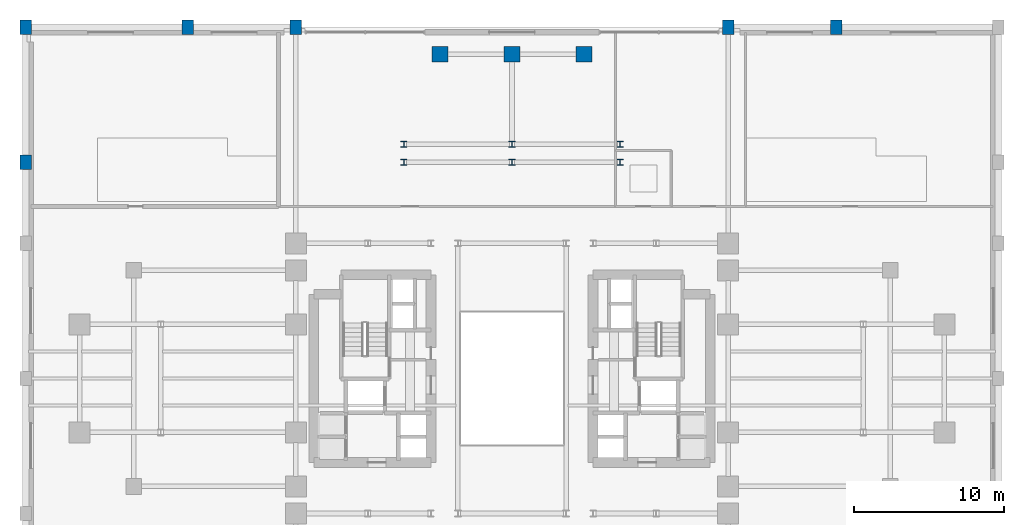
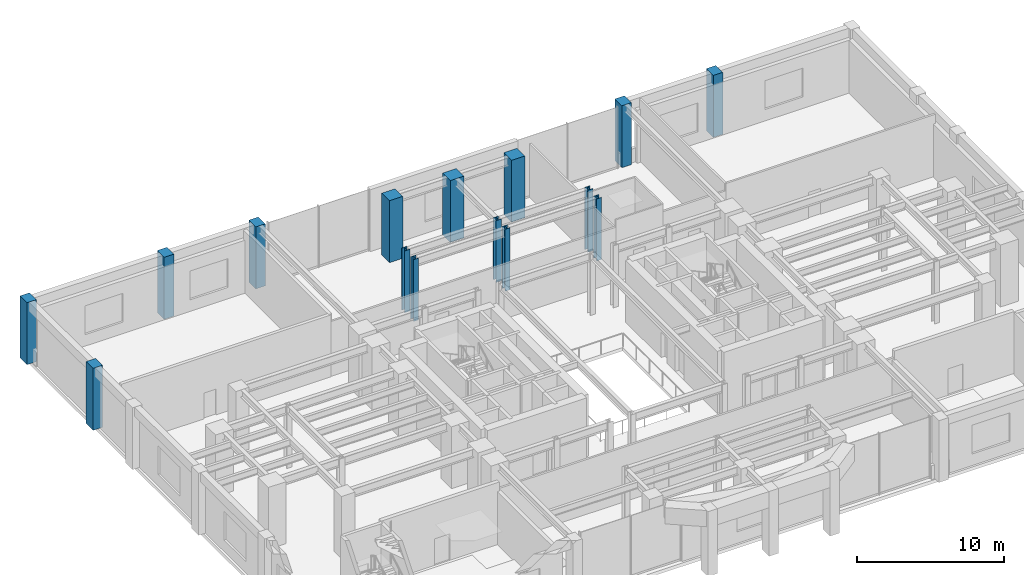
# One storey, part 2 of 16: 15 columns.
"""IFC4 building model written with IfcOpenShell, lengths in metres."""

from ifc_helpers import new_model, si_unit, direction, frame, origin, origin_2d, place, context, subcontext, project, spatial, rectangle, i_section, extrude, source, transform, mapped, material, material_profile, profile_set, type_object, element, save


model = new_model("IFC4")

# Units and contexts
model_context = context("Model", 3, precision=1e-05, world=origin(), true_north=direction((0.0, 1.0)))
body_context = subcontext(model_context, "Body", "Model", "MODEL_VIEW")
ifc_project = project(units=[si_unit("LENGTHUNIT", "METRE"), si_unit("AREAUNIT", "SQUARE_METRE"), si_unit("VOLUMEUNIT", "CUBIC_METRE"), si_unit("PLANEANGLEUNIT", "RADIAN"), si_unit("MASSUNIT", "GRAM", prefix="KILO")], contexts=[model_context])

# Site, building, storey
site_placement = place(None, origin())
site = spatial("IfcSite", under=ifc_project, at=site_placement, CompositionType="ELEMENT")
building_placement = place(site_placement, origin())
building = spatial("IfcBuilding", under=site, at=building_placement, Name="Keilestroom Media Tower", CompositionType="ELEMENT")
storey_placement = place(building_placement, frame((0.0, 0.0, 10.199951171875)))
storey = spatial("IfcBuildingStorey", under=building, at=storey_placement, Name="L02", CompositionType="ELEMENT", Elevation=10.199951171875)

# Columns
ifc_material_1 = material(Name="Precast concrete C40/50", Category="concrete")
ifc_material_profile_1 = material_profile(ifc_material_1, rectangle(XDim=0.75, YDim=0.949951171875, at=origin_2d()), Name="PC 950x750")
ifc_profile_set_1 = profile_set([ifc_material_profile_1], Name="Precast concrete C40/50")
column_type_1 = type_object("IfcColumnType", Name="Structural-Column-PC-950x750", PredefinedType="COLUMN", material=ifc_profile_set_1)
shared_shape_1 = source(origin(), body_context, "Body", "SweptSolid", [
    extrude(rectangle(XDim=0.75, YDim=0.949951171875, at=origin_2d()), origin(), (0.0, 0.0, 1.0), 5.150146484375),
])
for number, where, z_axis, x_axis, name in (
    (1, (-32.39990234375, 14.39990234375, 0.0), (0.0, 0.0, 1.0), (1.0, 0.0, 0.0), "L02 Column PC-1 (-32.4,+14.4)"),
    (2, (-32.39990234375, 23.39990234375, 0.0), (0.0, 0.0, 1.0), (1.0, 0.0, 0.0), "L02 Column PC-1 (-32.4,+23.4)"),
    (3, (-21.60009765625, 23.39990234375, 0.0), (0.0, 0.0, 1.0), (1.0, 0.0, 0.0), "L02 Column PC-1 (-21.6,+23.4)"),
    (4, (-14.39990234375, 23.39990234375, 0.0), (0.0, 0.0, 1.0), (1.0, 0.0, 0.0), "L02 Column PC-1 (-14.4,+23.4)"),
    (5, (14.39990234375, 23.39990234375, 0.0), (0.0, 0.0, 1.0), (1.0, 0.0, 0.0), "L02 Column PC-1 (+14.4,+23.4)"),
    (6, (21.60009765625, 23.39990234375, 0.0), (0.0, 0.0, 1.0), (1.0, 0.0, 0.0), "L02 Column PC-1 (+21.6,+23.4)"),
):
    element("IfcColumn", number, at=place(storey_placement, frame(where, z_axis=z_axis, x_axis=x_axis)), inside=storey, type_object=column_type_1, Name=name, PredefinedType="COLUMN", context=body_context, shape_type="MappedRepresentation", body=[
        mapped(shared_shape_1, transform((0.0, 0.0, 0.0), x_axis=(1.0, 0.0, 0.0), y_axis=(0.0, 1.0, 0.0), z_axis=(0.0, 0.0, 1.0), scale=1.0)),
    ])
ifc_material_2 = material(Name="Concrete C55/67", Category="concrete")
ifc_material_profile_2 = material_profile(ifc_material_2, rectangle(XDim=1.050048828125, YDim=1.050048828125, at=origin_2d()), Name="RC 1050x1050")
ifc_profile_set_2 = profile_set([ifc_material_profile_2], Name="Concrete C55/67")
column_type_2 = type_object("IfcColumnType", Name="Structural-Column-RC-1050x1050", PredefinedType="COLUMN", material=ifc_profile_set_2)
shared_shape_2 = source(origin(), body_context, "Body", "SweptSolid", [
    extrude(rectangle(XDim=1.050048828125, YDim=1.050048828125, at=origin_2d()), origin(), (0.0, 0.0, 1.0), 5.150146484375),
])
for number, where, z_axis, x_axis, name in (
    (7, (-4.800048828125, 21.60009765625, 0.0), (0.0, 0.0, 1.0), (1.0, 0.0, 0.0), "L02 Column MC-3 (-4.8,+21.6)"),
    (8, (0.0, 21.60009765625, 0.0), (0.0, 0.0, 1.0), (1.0, 0.0, 0.0), "L02 Column MC-3 (+0.0,+21.6)"),
    (9, (4.800048828125, 21.60009765625, 0.0), (0.0, 0.0, 1.0), (1.0, 0.0, 0.0), "L02 Column MC-3 (+4.8,+21.6)"),
):
    element("IfcColumn", number, at=place(storey_placement, frame(where, z_axis=z_axis, x_axis=x_axis)), inside=storey, type_object=column_type_2, Name=name, PredefinedType="COLUMN", context=body_context, shape_type="MappedRepresentation", body=[
        mapped(shared_shape_2, transform((0.0, 0.0, 0.0), x_axis=(1.0, 0.0, 0.0), y_axis=(0.0, 1.0, 0.0), z_axis=(0.0, 0.0, 1.0), scale=1.0)),
    ])
ifc_material_3 = material(Name="Steel S460", Category="steel")
ifc_material_profile_3 = material_profile(ifc_material_3, i_section(OverallWidth=0.406005859375, OverallDepth=0.416015625, WebThickness=0.02392578125, FlangeThickness=0.0390625, at=origin_2d()), Name="HD 400x382")
ifc_profile_set_3 = profile_set([ifc_material_profile_3], Name="Steel S460")
column_type_3 = type_object("IfcColumnType", Name="Structural-Column-HD-400x382", PredefinedType="COLUMN", material=ifc_profile_set_3)
shared_shape_3 = source(origin(), body_context, "Body", "SweptSolid", [
    extrude(i_section(OverallWidth=0.406005859375, OverallDepth=0.416015625, WebThickness=0.02392578125, FlangeThickness=0.0390625, at=origin_2d()), origin(), (0.0, 0.0, 1.0), 5.150146484375),
])
for number, where, z_axis, x_axis, name in (
    (10, (-7.199951171875, 14.39990234375, 0.0), (0.0, 0.0, 1.0), (1.0, 0.0, 0.0), "L02 Column SC-1 (-7.2,+14.4)"),
    (11, (-7.199951171875, 15.60009765625, 0.0), (0.0, 0.0, 1.0), (1.0, 0.0, 0.0), "L02 Column SC-1 (-7.2,+15.6)"),
    (12, (0.0, 14.39990234375, 0.0), (0.0, 0.0, 1.0), (1.0, 0.0, 0.0), "L02 Column SC-1 (+0.0,+14.4)"),
    (13, (0.0, 15.60009765625, 0.0), (0.0, 0.0, 1.0), (1.0, 0.0, 0.0), "L02 Column SC-1 (+0.0,+15.6)"),
    (14, (7.199951171875, 14.39990234375, 0.0), (0.0, 0.0, 1.0), (1.0, 0.0, 0.0), "L02 Column SC-1 (+7.2,+14.4)"),
    (15, (7.199951171875, 15.60009765625, 0.0), (0.0, 0.0, 1.0), (1.0, 0.0, 0.0), "L02 Column SC-1 (+7.2,+15.6)"),
):
    element("IfcColumn", number, at=place(storey_placement, frame(where, z_axis=z_axis, x_axis=x_axis)), inside=storey, type_object=column_type_3, Name=name, PredefinedType="COLUMN", context=body_context, shape_type="MappedRepresentation", body=[
        mapped(shared_shape_3, transform((0.0, 0.0, 0.0), x_axis=(1.0, 0.0, 0.0), y_axis=(0.0, 1.0, 0.0), z_axis=(0.0, 0.0, 1.0), scale=1.0)),
    ])

save(model, "model.ifc")
